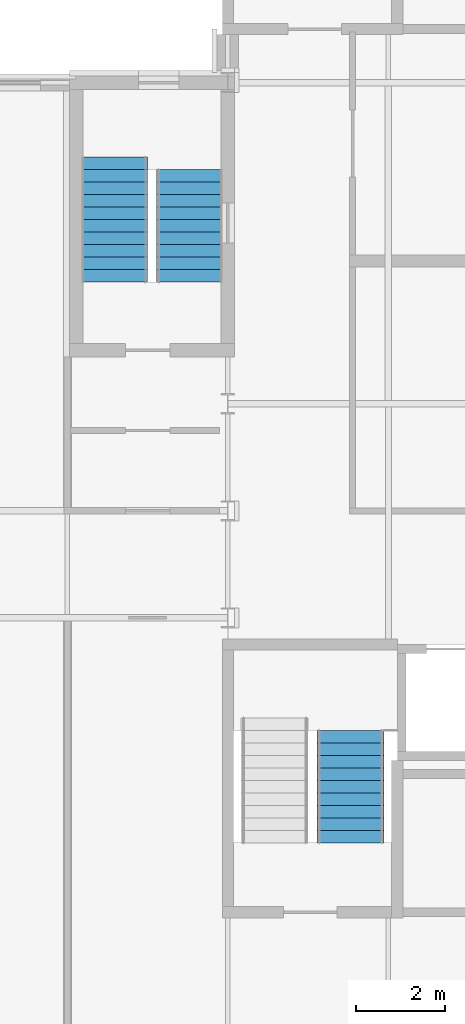
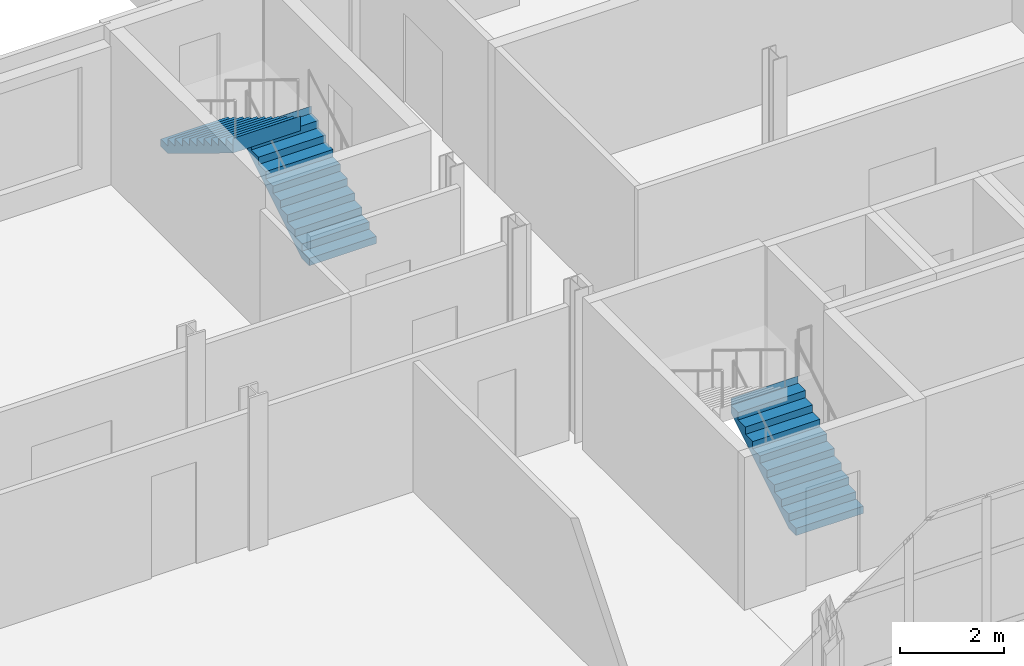
# One storey, part 94 of 124: 3 stair flights, 2 elements without a shape of their own.
"""IFC4 building model written with IfcOpenShell, lengths in metres."""

from ifc_helpers import new_model, si_unit, direction, frame, origin, place, context, subcontext, project, spatial, polyline, outline, extrude, material, type_object, element, aggregate, save


model = new_model("IFC4")

# Units and contexts
model_context = context("Model", 3, precision=1e-05, world=origin(), true_north=direction((0.0, 1.0)))
body_context = subcontext(model_context, "Body", "Model", "MODEL_VIEW")
ifc_project = project(units=[si_unit("LENGTHUNIT", "METRE"), si_unit("AREAUNIT", "SQUARE_METRE"), si_unit("VOLUMEUNIT", "CUBIC_METRE"), si_unit("PLANEANGLEUNIT", "RADIAN"), si_unit("MASSUNIT", "GRAM", prefix="KILO")], contexts=[model_context])

# Site, building, storey
site_placement = place(None, origin())
site = spatial("IfcSite", under=ifc_project, at=site_placement, CompositionType="ELEMENT")
building_placement = place(site_placement, origin())
building = spatial("IfcBuilding", under=site, at=building_placement, Name="Kupolbacken Congress Centre", CompositionType="ELEMENT")
storey_placement = place(building_placement, frame((0.0, 0.0, 10.800048828125)))
storey = spatial("IfcBuildingStorey", under=building, at=storey_placement, Name="L03", CompositionType="ELEMENT", Elevation=10.800048828125)

# Stair, stair flight
ifc_material_1 = material(Name="Steel S355", Category="steel")
stair_type = type_object("IfcStairType", Name="ST2 stair 1500", PredefinedType="TWO_STRAIGHT_RUN_STAIR", material=ifc_material_1)
stair_1_placement = place(storey_placement, origin())
stair_1 = element("IfcStair", 1, at=stair_1_placement, inside=storey, type_object=stair_type, Name="C/stair/TS4/L03", PredefinedType="NOTDEFINED")
ifc_material_2 = material(Name="Steel S355", Category="steel")
stair_flight_type_1 = type_object("IfcStairFlightType", Name="FL3 stair flight 1500 x 10 risers", PredefinedType="STRAIGHT", material=ifc_material_2)
stair_flight_1_placement = place(storey_placement, frame((135.949951171875, 139.530029296875, 0.0), z_axis=(0.0, 0.0, 1.0), x_axis=(0.0, 1.0, 0.0)))
stair_flight_1 = element("IfcStairFlight", 2, at=stair_flight_1_placement, type_object=stair_flight_type_1, Name="TS4 flight 1", NumberOfRisers=10, NumberOfTreads=9, PredefinedType="STRAIGHT", RiserHeight=0.171428571, TreadLength=0.28, context=body_context, shape_type="SweptSolid", body=[
    extrude(outline(polyline([(0.0, 0.0), (0.0, 0.0009765625), (0.0, 0.002197265625), (0.0, 0.003173828125), (0.0, 0.004150390625), (0.0, 0.00537109375), (0.0, 0.00634765625), (0.0, 0.007568359375), (0.0, 0.008544921875), (0.0, 0.009521484375), (0.0, 0.0107421875), (0.0, 0.01171875), (0.0, 0.0126953125), (0.0, 0.013916015625), (0.0, 0.014892578125), (0.0, 0.015869140625), (0.0, 0.01708984375), (0.0, 0.01806640625), (0.0, 0.019287109375), (0.0, 0.020263671875), (0.0, 0.021240234375), (0.0, 0.0224609375), (0.0, 0.0234375), (0.0, 0.0244140625), (0.0, 0.025634765625), (0.0, 0.026611328125), (0.0, 0.027587890625), (0.0, 0.02880859375), (0.0, 0.02978515625), (0.0, 0.03076171875), (0.0, 0.031982421875), (0.0, 0.032958984375), (0.0, 0.0341796875), (0.0, 0.03515625), (0.0, 0.0361328125), (0.0, 0.037353515625), (0.0, 0.038330078125), (0.0, 0.039306640625), (0.0, 0.04052734375), (0.0, 0.04150390625), (0.0, 0.04248046875), (0.0, 0.043701171875), (0.0, 0.044677734375), (0.0, 0.0458984375), (0.0, 0.046875), (0.0, 0.0478515625), (0.0, 0.049072265625), (0.0, 0.050048828125), (0.0, 0.051025390625), (0.0, 0.05224609375), (0.0, 0.05322265625), (0.0, 0.05419921875), (0.0, 0.055419921875), (0.0, 0.056396484375), (0.0, 0.0576171875), (0.0, 0.05859375), (0.0, 0.0595703125), (0.0, 0.060791015625), (0.0, 0.061767578125), (0.0, 0.062744140625), (0.0, 0.06396484375), (0.0, 0.06494140625), (0.0, 0.06591796875), (0.0, 0.067138671875), (0.0, 0.068115234375), (0.0, 0.069091796875), (0.0, 0.0703125), (0.0, 0.0712890625), (0.0, 0.072509765625), (0.0, 0.073486328125), (0.0, 0.074462890625), (0.0, 0.07568359375), (0.0, 0.07666015625), (0.0, 0.07763671875), (0.0, 0.078857421875), (0.0, 0.079833984375), (0.0, 0.080810546875), (0.0, 0.08203125), (0.0, 0.0830078125), (0.0, 0.084228515625), (0.0, 0.085205078125), (0.0, 0.086181640625), (0.0, 0.08740234375), (0.0, 0.08837890625), (0.0, 0.08935546875), (0.0, 0.090576171875), (0.0, 0.091552734375), (0.0, 0.092529296875), (0.0, 0.09375), (0.0, 0.0947265625), (0.0, 0.095947265625), (0.0, 0.096923828125), (0.0, 0.097900390625), (0.0, 0.09912109375), (0.0, 0.10009765625), (0.0, 0.10107421875), (0.0, 0.102294921875), (0.0, 0.103271484375), (0.0, 0.104248046875), (0.0, 0.10546875), (0.0, 0.1064453125), (0.0, 0.107421875), (0.0, 0.108642578125), (0.0, 0.109619140625), (0.0, 0.11083984375), (0.0, 0.11181640625), (0.0, 0.11279296875), (0.0, 0.114013671875), (0.0, 0.114990234375), (0.0, 0.115966796875), (0.0, 0.1171875), (0.0, 0.1181640625), (0.0, 0.119140625), (0.0, 0.120361328125), (0.0, 0.121337890625), (0.0, 0.12255859375), (0.0, 0.12353515625), (0.0, 0.12451171875), (0.0, 0.125732421875), (0.0, 0.126708984375), (0.0, 0.127685546875), (0.0, 0.12890625), (0.0, 0.1298828125), (0.0, 0.130859375), (0.0, 0.132080078125), (0.0, 0.133056640625), (0.0, 0.13427734375), (0.0, 0.13525390625), (0.0, 0.13623046875), (0.0, 0.137451171875), (0.0, 0.138427734375), (0.0, 0.139404296875), (0.0, 0.140625), (0.0, 0.1416015625), (0.0, 0.142578125), (0.0, 0.143798828125), (0.0, 0.144775390625), (0.0, 0.145751953125), (0.0, 0.14697265625), (0.0, 0.14794921875), (0.0, 0.149169921875), (0.0, 0.150146484375), (0.0, 0.151123046875), (0.0, 0.15234375), (0.0, 0.1533203125), (0.0, 0.154296875), (0.0, 0.155517578125), (0.0, 0.156494140625), (0.0, 0.157470703125), (0.0, 0.15869140625), (0.0, 0.15966796875), (0.0, 0.160888671875), (0.0, 0.161865234375), (0.0, 0.162841796875), (0.0, 0.1640625), (0.0, 0.1650390625), (0.0, 0.166015625), (0.0, 0.167236328125), (0.0, 0.168212890625), (0.0, 0.169189453125), (0.0, 0.17041015625), (0.0, 0.17138671875), (0.280029296875, 0.17138671875), (0.280029296875, 0.3427734375), (0.56005859375, 0.3427734375), (0.56005859375, 0.514404296875), (0.840087890625, 0.514404296875), (0.840087890625, 0.685791015625), (1.1201171875, 0.685791015625), (1.1201171875, 0.857177734375), (1.39990234375, 0.857177734375), (1.39990234375, 1.028564453125), (1.679931640625, 1.028564453125), (1.679931640625, 1.199951171875), (1.9599609375, 1.199951171875), (1.9599609375, 1.371337890625), (2.239990234375, 1.371337890625), (2.239990234375, 1.54296875), (2.52001953125, 1.54296875), (2.52001953125, 1.71435546875), (2.52197265625, 1.71435546875), (2.52197265625, 1.712158203125), (2.52197265625, 1.7099609375), (2.52197265625, 1.707763671875), (2.52197265625, 1.70556640625), (2.52197265625, 1.70361328125), (2.52197265625, 1.701416015625), (2.52197265625, 1.69921875), (2.52197265625, 1.697021484375), (2.52197265625, 1.69482421875), (2.52197265625, 1.692626953125), (2.52197265625, 1.690673828125), (2.52197265625, 1.6884765625), (2.52197265625, 1.686279296875), (2.52197265625, 1.68408203125), (2.52197265625, 1.681884765625), (2.52197265625, 1.6796875), (2.52197265625, 1.677734375), (2.52197265625, 1.675537109375), (2.52197265625, 1.67333984375), (2.52197265625, 1.671142578125), (2.52197265625, 1.6689453125), (2.52197265625, 1.666748046875), (2.52197265625, 1.664794921875), (2.52197265625, 1.66259765625), (2.52197265625, 1.660400390625), (2.52197265625, 1.658203125), (2.52197265625, 1.656005859375), (2.52197265625, 1.65380859375), (2.52197265625, 1.65185546875), (2.52197265625, 1.649658203125), (2.52197265625, 1.6474609375), (2.52197265625, 1.645263671875), (2.52197265625, 1.64306640625), (2.52197265625, 1.640869140625), (2.52197265625, 1.638916015625), (2.52197265625, 1.63671875), (2.52197265625, 1.634521484375), (2.52197265625, 1.63232421875), (2.52197265625, 1.630126953125), (2.52197265625, 1.6279296875), (2.52197265625, 1.6259765625), (2.52197265625, 1.623779296875), (2.52197265625, 1.62158203125), (2.52197265625, 1.619384765625), (2.52197265625, 1.6171875), (2.52197265625, 1.614990234375), (2.52197265625, 1.613037109375), (2.52197265625, 1.61083984375), (2.52197265625, 1.608642578125), (2.52197265625, 1.6064453125), (2.52197265625, 1.604248046875), (2.52197265625, 1.60205078125), (2.52197265625, 1.60009765625), (2.52197265625, 1.597900390625), (2.52197265625, 1.595703125), (2.52197265625, 1.593505859375), (2.52197265625, 1.59130859375), (2.52197265625, 1.589111328125), (2.52197265625, 1.587158203125), (2.52197265625, 1.5849609375), (2.52197265625, 1.582763671875), (2.52197265625, 1.58056640625), (2.52197265625, 1.578369140625), (2.52197265625, 1.576171875), (2.52197265625, 1.57421875), (2.52197265625, 1.572021484375), (2.52197265625, 1.56982421875), (2.52197265625, 1.567626953125), (2.52197265625, 1.5654296875), (2.52197265625, 1.563232421875), (2.52197265625, 1.561279296875), (2.52197265625, 1.55908203125), (2.52197265625, 1.556884765625), (2.52197265625, 1.5546875), (2.52197265625, 1.552490234375), (2.52197265625, 1.55029296875), (2.52197265625, 1.54833984375), (2.52197265625, 1.546142578125), (2.52197265625, 1.5439453125), (2.52197265625, 1.541748046875), (2.52197265625, 1.53955078125), (2.52197265625, 1.537353515625), (2.52197265625, 1.535400390625), (2.52197265625, 1.533203125), (2.52197265625, 1.531005859375), (2.52197265625, 1.52880859375), (2.52197265625, 1.526611328125), (2.52197265625, 1.5244140625), (2.52197265625, 1.5224609375), (2.52197265625, 1.520263671875), (2.52197265625, 1.51806640625), (2.52197265625, 1.515869140625), (2.52197265625, 1.513671875), (2.52197265625, 1.511474609375), (2.52197265625, 1.509521484375), (2.52197265625, 1.50732421875), (2.52197265625, 1.505126953125), (2.52197265625, 1.5029296875), (2.52197265625, 1.500732421875), (2.52197265625, 1.49853515625), (2.52197265625, 1.49658203125), (2.52197265625, 1.494384765625), (2.52197265625, 1.4921875), (2.52197265625, 1.489990234375), (2.52197265625, 1.48779296875), (2.52197265625, 1.485595703125), (2.52197265625, 1.483642578125), (2.52197265625, 1.4814453125), (2.52197265625, 1.479248046875), (2.52197265625, 1.47705078125), (2.52197265625, 1.474853515625), (2.52197265625, 1.47265625), (2.52197265625, 1.470703125), (2.52197265625, 1.468505859375), (2.52197265625, 1.46630859375), (2.52197265625, 1.464111328125), (2.52197265625, 1.4619140625), (2.52197265625, 1.459716796875), (2.52197265625, 1.457763671875), (2.52197265625, 1.45556640625), (2.52197265625, 1.453369140625), (2.52197265625, 1.451171875), (2.52197265625, 1.448974609375), (2.52197265625, 1.44677734375), (2.52197265625, 1.44482421875), (2.52197265625, 1.442626953125), (2.52197265625, 1.4404296875), (2.52197265625, 1.438232421875), (2.52197265625, 1.43603515625), (2.52197265625, 1.433837890625), (2.52197265625, 1.431884765625), (2.52197265625, 1.4296875), (2.52197265625, 1.427490234375), (2.52197265625, 1.42529296875), (2.52197265625, 1.423095703125), (2.52197265625, 1.4208984375), (2.52197265625, 1.4189453125), (2.52197265625, 1.416748046875), (2.52197265625, 1.41455078125), (2.52197265625, 1.412353515625), (2.52197265625, 1.41015625), (2.52197265625, 1.407958984375), (2.52197265625, 1.406005859375), (2.52197265625, 1.40380859375), (2.52197265625, 1.401611328125), (2.52197265625, 1.3994140625), (2.52197265625, 1.397216796875), (2.52197265625, 1.39501953125), (2.52197265625, 1.39306640625), (2.52197265625, 1.390869140625), (2.52197265625, 1.388671875), (2.52197265625, 1.386474609375), (2.52197265625, 1.38427734375), (2.52197265625, 1.382080078125), (2.52197265625, 1.380126953125), (2.52197265625, 1.3779296875), (2.52197265625, 1.375732421875), (2.52197265625, 1.37353515625), (2.52197265625, 1.371337890625), (2.52197265625, 1.369140625), (2.52197265625, 1.3671875), (0.2890625, 0.0), (0.0, 0.0)])), frame((0.0, 0.75, 0.0), z_axis=(0.0, -1.0, 0.0), x_axis=(1.0, 0.0, 0.0)), (0.0, 0.0, 1.0), 1.5),
])

stair_2_placement = place(storey_placement, origin())
stair_2 = element("IfcStair", 3, at=stair_2_placement, inside=storey, type_object=stair_type, Name="C/stair/BS1/L03", PredefinedType="NOTDEFINED")
stair_flight_2_placement = place(storey_placement, frame((139.550048828125, 126.955078125, 0.0), z_axis=(0.0, 0.0, 1.0), x_axis=(0.0, 1.0, 0.0)))
stair_flight_2 = element("IfcStairFlight", 4, at=stair_flight_2_placement, type_object=stair_flight_type_1, Name="BS1 flight 1", NumberOfRisers=10, NumberOfTreads=9, PredefinedType="STRAIGHT", RiserHeight=0.171428571, TreadLength=0.28, context=body_context, shape_type="SweptSolid", body=[
    extrude(outline(polyline([(0.0, 0.0), (0.0, 0.0009765625), (0.0, 0.002197265625), (0.0, 0.003173828125), (0.0, 0.004150390625), (0.0, 0.00537109375), (0.0, 0.00634765625), (0.0, 0.007568359375), (0.0, 0.008544921875), (0.0, 0.009521484375), (0.0, 0.0107421875), (0.0, 0.01171875), (0.0, 0.0126953125), (0.0, 0.013916015625), (0.0, 0.014892578125), (0.0, 0.015869140625), (0.0, 0.01708984375), (0.0, 0.01806640625), (0.0, 0.019287109375), (0.0, 0.020263671875), (0.0, 0.021240234375), (0.0, 0.0224609375), (0.0, 0.0234375), (0.0, 0.0244140625), (0.0, 0.025634765625), (0.0, 0.026611328125), (0.0, 0.027587890625), (0.0, 0.02880859375), (0.0, 0.02978515625), (0.0, 0.03076171875), (0.0, 0.031982421875), (0.0, 0.032958984375), (0.0, 0.0341796875), (0.0, 0.03515625), (0.0, 0.0361328125), (0.0, 0.037353515625), (0.0, 0.038330078125), (0.0, 0.039306640625), (0.0, 0.04052734375), (0.0, 0.04150390625), (0.0, 0.04248046875), (0.0, 0.043701171875), (0.0, 0.044677734375), (0.0, 0.0458984375), (0.0, 0.046875), (0.0, 0.0478515625), (0.0, 0.049072265625), (0.0, 0.050048828125), (0.0, 0.051025390625), (0.0, 0.05224609375), (0.0, 0.05322265625), (0.0, 0.05419921875), (0.0, 0.055419921875), (0.0, 0.056396484375), (0.0, 0.0576171875), (0.0, 0.05859375), (0.0, 0.0595703125), (0.0, 0.060791015625), (0.0, 0.061767578125), (0.0, 0.062744140625), (0.0, 0.06396484375), (0.0, 0.06494140625), (0.0, 0.06591796875), (0.0, 0.067138671875), (0.0, 0.068115234375), (0.0, 0.069091796875), (0.0, 0.0703125), (0.0, 0.0712890625), (0.0, 0.072509765625), (0.0, 0.073486328125), (0.0, 0.074462890625), (0.0, 0.07568359375), (0.0, 0.07666015625), (0.0, 0.07763671875), (0.0, 0.078857421875), (0.0, 0.079833984375), (0.0, 0.080810546875), (0.0, 0.08203125), (0.0, 0.0830078125), (0.0, 0.084228515625), (0.0, 0.085205078125), (0.0, 0.086181640625), (0.0, 0.08740234375), (0.0, 0.08837890625), (0.0, 0.08935546875), (0.0, 0.090576171875), (0.0, 0.091552734375), (0.0, 0.092529296875), (0.0, 0.09375), (0.0, 0.0947265625), (0.0, 0.095947265625), (0.0, 0.096923828125), (0.0, 0.097900390625), (0.0, 0.09912109375), (0.0, 0.10009765625), (0.0, 0.10107421875), (0.0, 0.102294921875), (0.0, 0.103271484375), (0.0, 0.104248046875), (0.0, 0.10546875), (0.0, 0.1064453125), (0.0, 0.107421875), (0.0, 0.108642578125), (0.0, 0.109619140625), (0.0, 0.11083984375), (0.0, 0.11181640625), (0.0, 0.11279296875), (0.0, 0.114013671875), (0.0, 0.114990234375), (0.0, 0.115966796875), (0.0, 0.1171875), (0.0, 0.1181640625), (0.0, 0.119140625), (0.0, 0.120361328125), (0.0, 0.121337890625), (0.0, 0.12255859375), (0.0, 0.12353515625), (0.0, 0.12451171875), (0.0, 0.125732421875), (0.0, 0.126708984375), (0.0, 0.127685546875), (0.0, 0.12890625), (0.0, 0.1298828125), (0.0, 0.130859375), (0.0, 0.132080078125), (0.0, 0.133056640625), (0.0, 0.13427734375), (0.0, 0.13525390625), (0.0, 0.13623046875), (0.0, 0.137451171875), (0.0, 0.138427734375), (0.0, 0.139404296875), (0.0, 0.140625), (0.0, 0.1416015625), (0.0, 0.142578125), (0.0, 0.143798828125), (0.0, 0.144775390625), (0.0, 0.145751953125), (0.0, 0.14697265625), (0.0, 0.14794921875), (0.0, 0.149169921875), (0.0, 0.150146484375), (0.0, 0.151123046875), (0.0, 0.15234375), (0.0, 0.1533203125), (0.0, 0.154296875), (0.0, 0.155517578125), (0.0, 0.156494140625), (0.0, 0.157470703125), (0.0, 0.15869140625), (0.0, 0.15966796875), (0.0, 0.160888671875), (0.0, 0.161865234375), (0.0, 0.162841796875), (0.0, 0.1640625), (0.0, 0.1650390625), (0.0, 0.166015625), (0.0, 0.167236328125), (0.0, 0.168212890625), (0.0, 0.169189453125), (0.0, 0.17041015625), (0.0, 0.17138671875), (0.280029296875, 0.17138671875), (0.280029296875, 0.3427734375), (0.56005859375, 0.3427734375), (0.56005859375, 0.514404296875), (0.840087890625, 0.514404296875), (0.840087890625, 0.685791015625), (1.1201171875, 0.685791015625), (1.1201171875, 0.857177734375), (1.39990234375, 0.857177734375), (1.39990234375, 1.028564453125), (1.679931640625, 1.028564453125), (1.679931640625, 1.199951171875), (1.9599609375, 1.199951171875), (1.9599609375, 1.371337890625), (2.239990234375, 1.371337890625), (2.239990234375, 1.54296875), (2.52001953125, 1.54296875), (2.52001953125, 1.71435546875), (2.52197265625, 1.71435546875), (2.52197265625, 1.712158203125), (2.52197265625, 1.7099609375), (2.52197265625, 1.707763671875), (2.52197265625, 1.70556640625), (2.52197265625, 1.70361328125), (2.52197265625, 1.701416015625), (2.52197265625, 1.69921875), (2.52197265625, 1.697021484375), (2.52197265625, 1.69482421875), (2.52197265625, 1.692626953125), (2.52197265625, 1.690673828125), (2.52197265625, 1.6884765625), (2.52197265625, 1.686279296875), (2.52197265625, 1.68408203125), (2.52197265625, 1.681884765625), (2.52197265625, 1.6796875), (2.52197265625, 1.677734375), (2.52197265625, 1.675537109375), (2.52197265625, 1.67333984375), (2.52197265625, 1.671142578125), (2.52197265625, 1.6689453125), (2.52197265625, 1.666748046875), (2.52197265625, 1.664794921875), (2.52197265625, 1.66259765625), (2.52197265625, 1.660400390625), (2.52197265625, 1.658203125), (2.52197265625, 1.656005859375), (2.52197265625, 1.65380859375), (2.52197265625, 1.65185546875), (2.52197265625, 1.649658203125), (2.52197265625, 1.6474609375), (2.52197265625, 1.645263671875), (2.52197265625, 1.64306640625), (2.52197265625, 1.640869140625), (2.52197265625, 1.638916015625), (2.52197265625, 1.63671875), (2.52197265625, 1.634521484375), (2.52197265625, 1.63232421875), (2.52197265625, 1.630126953125), (2.52197265625, 1.6279296875), (2.52197265625, 1.6259765625), (2.52197265625, 1.623779296875), (2.52197265625, 1.62158203125), (2.52197265625, 1.619384765625), (2.52197265625, 1.6171875), (2.52197265625, 1.614990234375), (2.52197265625, 1.613037109375), (2.52197265625, 1.61083984375), (2.52197265625, 1.608642578125), (2.52197265625, 1.6064453125), (2.52197265625, 1.604248046875), (2.52197265625, 1.60205078125), (2.52197265625, 1.60009765625), (2.52197265625, 1.597900390625), (2.52197265625, 1.595703125), (2.52197265625, 1.593505859375), (2.52197265625, 1.59130859375), (2.52197265625, 1.589111328125), (2.52197265625, 1.587158203125), (2.52197265625, 1.5849609375), (2.52197265625, 1.582763671875), (2.52197265625, 1.58056640625), (2.52197265625, 1.578369140625), (2.52197265625, 1.576171875), (2.52197265625, 1.57421875), (2.52197265625, 1.572021484375), (2.52197265625, 1.56982421875), (2.52197265625, 1.567626953125), (2.52197265625, 1.5654296875), (2.52197265625, 1.563232421875), (2.52197265625, 1.561279296875), (2.52197265625, 1.55908203125), (2.52197265625, 1.556884765625), (2.52197265625, 1.5546875), (2.52197265625, 1.552490234375), (2.52197265625, 1.55029296875), (2.52197265625, 1.54833984375), (2.52197265625, 1.546142578125), (2.52197265625, 1.5439453125), (2.52197265625, 1.541748046875), (2.52197265625, 1.53955078125), (2.52197265625, 1.537353515625), (2.52197265625, 1.535400390625), (2.52197265625, 1.533203125), (2.52197265625, 1.531005859375), (2.52197265625, 1.52880859375), (2.52197265625, 1.526611328125), (2.52197265625, 1.5244140625), (2.52197265625, 1.5224609375), (2.52197265625, 1.520263671875), (2.52197265625, 1.51806640625), (2.52197265625, 1.515869140625), (2.52197265625, 1.513671875), (2.52197265625, 1.511474609375), (2.52197265625, 1.509521484375), (2.52197265625, 1.50732421875), (2.52197265625, 1.505126953125), (2.52197265625, 1.5029296875), (2.52197265625, 1.500732421875), (2.52197265625, 1.49853515625), (2.52197265625, 1.49658203125), (2.52197265625, 1.494384765625), (2.52197265625, 1.4921875), (2.52197265625, 1.489990234375), (2.52197265625, 1.48779296875), (2.52197265625, 1.485595703125), (2.52197265625, 1.483642578125), (2.52197265625, 1.4814453125), (2.52197265625, 1.479248046875), (2.52197265625, 1.47705078125), (2.52197265625, 1.474853515625), (2.52197265625, 1.47265625), (2.52197265625, 1.470703125), (2.52197265625, 1.468505859375), (2.52197265625, 1.46630859375), (2.52197265625, 1.464111328125), (2.52197265625, 1.4619140625), (2.52197265625, 1.459716796875), (2.52197265625, 1.457763671875), (2.52197265625, 1.45556640625), (2.52197265625, 1.453369140625), (2.52197265625, 1.451171875), (2.52197265625, 1.448974609375), (2.52197265625, 1.44677734375), (2.52197265625, 1.44482421875), (2.52197265625, 1.442626953125), (2.52197265625, 1.4404296875), (2.52197265625, 1.438232421875), (2.52197265625, 1.43603515625), (2.52197265625, 1.433837890625), (2.52197265625, 1.431884765625), (2.52197265625, 1.4296875), (2.52197265625, 1.427490234375), (2.52197265625, 1.42529296875), (2.52197265625, 1.423095703125), (2.52197265625, 1.4208984375), (2.52197265625, 1.4189453125), (2.52197265625, 1.416748046875), (2.52197265625, 1.41455078125), (2.52197265625, 1.412353515625), (2.52197265625, 1.41015625), (2.52197265625, 1.407958984375), (2.52197265625, 1.406005859375), (2.52197265625, 1.40380859375), (2.52197265625, 1.401611328125), (2.52197265625, 1.3994140625), (2.52197265625, 1.397216796875), (2.52197265625, 1.39501953125), (2.52197265625, 1.39306640625), (2.52197265625, 1.390869140625), (2.52197265625, 1.388671875), (2.52197265625, 1.386474609375), (2.52197265625, 1.38427734375), (2.52197265625, 1.382080078125), (2.52197265625, 1.380126953125), (2.52197265625, 1.3779296875), (2.52197265625, 1.375732421875), (2.52197265625, 1.37353515625), (2.52197265625, 1.371337890625), (2.52197265625, 1.369140625), (2.52197265625, 1.3671875), (0.2890625, 0.0), (0.0, 0.0)])), frame((0.0, 0.75, 0.0), z_axis=(0.0, -1.0, 0.0), x_axis=(1.0, 0.0, 0.0)), (0.0, 0.0, 1.0), 1.5),
])
aggregate(stair_2, [stair_flight_2])

# Stair flight
ifc_material_3 = material(Name="Steel S355", Category="steel")
stair_flight_type_2 = type_object("IfcStairFlightType", Name="FL4 stair flight 1500 x 11 risers", PredefinedType="STRAIGHT", material=ifc_material_3)
stair_flight_3_placement = place(storey_placement, frame((134.25, 142.330078125, 1.71435546875), z_axis=(0.0, 0.0, 1.0), x_axis=(0.0, -1.0, 0.0)))
stair_flight_3 = element("IfcStairFlight", 5, at=stair_flight_3_placement, type_object=stair_flight_type_2, Name="TS4 flight 2", NumberOfRisers=11, NumberOfTreads=10, PredefinedType="STRAIGHT", RiserHeight=0.171428571, TreadLength=0.28, context=body_context, shape_type="SweptSolid", body=[
    extrude(outline(polyline([(0.0, 0.0), (0.0, 0.0009765625), (0.0, 0.002197265625), (0.0, 0.003173828125), (0.0, 0.004150390625), (0.0, 0.00537109375), (0.0, 0.00634765625), (0.0, 0.007568359375), (0.0, 0.008544921875), (0.0, 0.009521484375), (0.0, 0.0107421875), (0.0, 0.01171875), (0.0, 0.0126953125), (0.0, 0.013916015625), (0.0, 0.014892578125), (0.0, 0.015869140625), (0.0, 0.01708984375), (0.0, 0.01806640625), (0.0, 0.019287109375), (0.0, 0.020263671875), (0.0, 0.021240234375), (0.0, 0.0224609375), (0.0, 0.0234375), (0.0, 0.0244140625), (0.0, 0.025634765625), (0.0, 0.026611328125), (0.0, 0.027587890625), (0.0, 0.02880859375), (0.0, 0.02978515625), (0.0, 0.03076171875), (0.0, 0.031982421875), (0.0, 0.032958984375), (0.0, 0.0341796875), (0.0, 0.03515625), (0.0, 0.0361328125), (0.0, 0.037353515625), (0.0, 0.038330078125), (0.0, 0.039306640625), (0.0, 0.04052734375), (0.0, 0.04150390625), (0.0, 0.04248046875), (0.0, 0.043701171875), (0.0, 0.044677734375), (0.0, 0.0458984375), (0.0, 0.046875), (0.0, 0.0478515625), (0.0, 0.049072265625), (0.0, 0.050048828125), (0.0, 0.051025390625), (0.0, 0.05224609375), (0.0, 0.05322265625), (0.0, 0.05419921875), (0.0, 0.055419921875), (0.0, 0.056396484375), (0.0, 0.0576171875), (0.0, 0.05859375), (0.0, 0.0595703125), (0.0, 0.060791015625), (0.0, 0.061767578125), (0.0, 0.062744140625), (0.0, 0.06396484375), (0.0, 0.06494140625), (0.0, 0.06591796875), (0.0, 0.067138671875), (0.0, 0.068115234375), (0.0, 0.069091796875), (0.0, 0.0703125), (0.0, 0.0712890625), (0.0, 0.072509765625), (0.0, 0.073486328125), (0.0, 0.074462890625), (0.0, 0.07568359375), (0.0, 0.07666015625), (0.0, 0.07763671875), (0.0, 0.078857421875), (0.0, 0.079833984375), (0.0, 0.080810546875), (0.0, 0.08203125), (0.0, 0.0830078125), (0.0, 0.084228515625), (0.0, 0.085205078125), (0.0, 0.086181640625), (0.0, 0.08740234375), (0.0, 0.08837890625), (0.0, 0.08935546875), (0.0, 0.090576171875), (0.0, 0.091552734375), (0.0, 0.092529296875), (0.0, 0.09375), (0.0, 0.0947265625), (0.0, 0.095947265625), (0.0, 0.096923828125), (0.0, 0.097900390625), (0.0, 0.09912109375), (0.0, 0.10009765625), (0.0, 0.10107421875), (0.0, 0.102294921875), (0.0, 0.103271484375), (0.0, 0.104248046875), (0.0, 0.10546875), (0.0, 0.1064453125), (0.0, 0.107421875), (0.0, 0.108642578125), (0.0, 0.109619140625), (0.0, 0.11083984375), (0.0, 0.11181640625), (0.0, 0.11279296875), (0.0, 0.114013671875), (0.0, 0.114990234375), (0.0, 0.115966796875), (0.0, 0.1171875), (0.0, 0.1181640625), (0.0, 0.119140625), (0.0, 0.120361328125), (0.0, 0.121337890625), (0.0, 0.12255859375), (0.0, 0.12353515625), (0.0, 0.12451171875), (0.0, 0.125732421875), (0.0, 0.126708984375), (0.0, 0.127685546875), (0.0, 0.12890625), (0.0, 0.1298828125), (0.0, 0.130859375), (0.0, 0.132080078125), (0.0, 0.133056640625), (0.0, 0.13427734375), (0.0, 0.13525390625), (0.0, 0.13623046875), (0.0, 0.137451171875), (0.0, 0.138427734375), (0.0, 0.139404296875), (0.0, 0.140625), (0.0, 0.1416015625), (0.0, 0.142578125), (0.0, 0.143798828125), (0.0, 0.144775390625), (0.0, 0.145751953125), (0.0, 0.14697265625), (0.0, 0.14794921875), (0.0, 0.149169921875), (0.0, 0.150146484375), (0.0, 0.151123046875), (0.0, 0.15234375), (0.0, 0.1533203125), (0.0, 0.154296875), (0.0, 0.155517578125), (0.0, 0.156494140625), (0.0, 0.157470703125), (0.0, 0.15869140625), (0.0, 0.15966796875), (0.0, 0.160888671875), (0.0, 0.161865234375), (0.0, 0.162841796875), (0.0, 0.1640625), (0.0, 0.1650390625), (0.0, 0.166015625), (0.0, 0.167236328125), (0.0, 0.168212890625), (0.0, 0.169189453125), (0.0, 0.17041015625), (0.0, 0.17138671875), (0.280029296875, 0.17138671875), (0.280029296875, 0.3427734375), (0.56005859375, 0.3427734375), (0.56005859375, 0.514404296875), (0.840087890625, 0.514404296875), (0.840087890625, 0.685791015625), (1.1201171875, 0.685791015625), (1.1201171875, 0.857177734375), (1.39990234375, 0.857177734375), (1.39990234375, 1.028564453125), (1.679931640625, 1.028564453125), (1.679931640625, 1.199951171875), (1.9599609375, 1.199951171875), (1.9599609375, 1.371337890625), (2.239990234375, 1.371337890625), (2.239990234375, 1.54296875), (2.52001953125, 1.54296875), (2.52001953125, 1.71435546875), (2.800048828125, 1.71435546875), (2.800048828125, 1.8857421875), (2.802001953125, 1.8857421875), (2.802001953125, 1.883544921875), (2.802001953125, 1.88134765625), (2.802001953125, 1.879150390625), (2.802001953125, 1.877197265625), (2.802001953125, 1.875), (2.802001953125, 1.872802734375), (2.802001953125, 1.87060546875), (2.802001953125, 1.868408203125), (2.802001953125, 1.8662109375), (2.802001953125, 1.8642578125), (2.802001953125, 1.862060546875), (2.802001953125, 1.85986328125), (2.802001953125, 1.857666015625), (2.802001953125, 1.85546875), (2.802001953125, 1.853271484375), (2.802001953125, 1.851318359375), (2.802001953125, 1.84912109375), (2.802001953125, 1.846923828125), (2.802001953125, 1.8447265625), (2.802001953125, 1.842529296875), (2.802001953125, 1.84033203125), (2.802001953125, 1.83837890625), (2.802001953125, 1.836181640625), (2.802001953125, 1.833984375), (2.802001953125, 1.831787109375), (2.802001953125, 1.82958984375), (2.802001953125, 1.827392578125), (2.802001953125, 1.825439453125), (2.802001953125, 1.8232421875), (2.802001953125, 1.821044921875), (2.802001953125, 1.81884765625), (2.802001953125, 1.816650390625), (2.802001953125, 1.814453125), (2.802001953125, 1.8125), (2.802001953125, 1.810302734375), (2.802001953125, 1.80810546875), (2.802001953125, 1.805908203125), (2.802001953125, 1.8037109375), (2.802001953125, 1.801513671875), (2.802001953125, 1.799560546875), (2.802001953125, 1.79736328125), (2.802001953125, 1.795166015625), (2.802001953125, 1.79296875), (2.802001953125, 1.790771484375), (2.802001953125, 1.78857421875), (2.802001953125, 1.78662109375), (2.802001953125, 1.784423828125), (2.802001953125, 1.7822265625), (2.802001953125, 1.780029296875), (2.802001953125, 1.77783203125), (2.802001953125, 1.775634765625), (2.802001953125, 1.773681640625), (2.802001953125, 1.771484375), (2.802001953125, 1.769287109375), (2.802001953125, 1.76708984375), (2.802001953125, 1.764892578125), (2.802001953125, 1.7626953125), (2.802001953125, 1.7607421875), (2.802001953125, 1.758544921875), (2.802001953125, 1.75634765625), (2.802001953125, 1.754150390625), (2.802001953125, 1.751953125), (2.802001953125, 1.749755859375), (2.802001953125, 1.747802734375), (2.802001953125, 1.74560546875), (2.802001953125, 1.743408203125), (2.802001953125, 1.7412109375), (2.802001953125, 1.739013671875), (2.802001953125, 1.73681640625), (2.802001953125, 1.73486328125), (2.802001953125, 1.732666015625), (2.802001953125, 1.73046875), (2.802001953125, 1.728271484375), (2.802001953125, 1.72607421875), (2.802001953125, 1.723876953125), (2.802001953125, 1.721923828125), (2.802001953125, 1.7197265625), (2.802001953125, 1.717529296875), (2.802001953125, 1.71533203125), (2.802001953125, 1.713134765625), (2.802001953125, 1.7109375), (2.802001953125, 1.708984375), (2.802001953125, 1.706787109375), (2.802001953125, 1.70458984375), (2.802001953125, 1.702392578125), (2.802001953125, 1.7001953125), (2.802001953125, 1.697998046875), (2.802001953125, 1.696044921875), (2.802001953125, 1.69384765625), (2.802001953125, 1.691650390625), (2.802001953125, 1.689453125), (2.802001953125, 1.687255859375), (2.802001953125, 1.68505859375), (2.802001953125, 1.68310546875), (2.802001953125, 1.680908203125), (2.802001953125, 1.6787109375), (2.802001953125, 1.676513671875), (2.802001953125, 1.67431640625), (2.802001953125, 1.672119140625), (2.802001953125, 1.670166015625), (2.802001953125, 1.66796875), (2.802001953125, 1.665771484375), (2.802001953125, 1.66357421875), (2.802001953125, 1.661376953125), (2.802001953125, 1.6591796875), (2.802001953125, 1.6572265625), (2.802001953125, 1.655029296875), (2.802001953125, 1.65283203125), (2.802001953125, 1.650634765625), (2.802001953125, 1.6484375), (2.802001953125, 1.646240234375), (2.802001953125, 1.644287109375), (2.802001953125, 1.64208984375), (2.802001953125, 1.639892578125), (2.802001953125, 1.6376953125), (2.802001953125, 1.635498046875), (2.802001953125, 1.63330078125), (2.802001953125, 1.63134765625), (2.802001953125, 1.629150390625), (2.802001953125, 1.626953125), (2.802001953125, 1.624755859375), (2.802001953125, 1.62255859375), (2.802001953125, 1.620361328125), (2.802001953125, 1.618408203125), (2.802001953125, 1.6162109375), (2.802001953125, 1.614013671875), (2.802001953125, 1.61181640625), (2.802001953125, 1.609619140625), (2.802001953125, 1.607421875), (2.802001953125, 1.60546875), (2.802001953125, 1.603271484375), (2.802001953125, 1.60107421875), (2.802001953125, 1.598876953125), (2.802001953125, 1.5966796875), (2.802001953125, 1.594482421875), (2.802001953125, 1.592529296875), (2.802001953125, 1.59033203125), (2.802001953125, 1.588134765625), (2.802001953125, 1.5859375), (2.802001953125, 1.583740234375), (2.802001953125, 1.58154296875), (2.802001953125, 1.57958984375), (2.802001953125, 1.577392578125), (2.802001953125, 1.5751953125), (2.802001953125, 1.572998046875), (2.802001953125, 1.57080078125), (2.802001953125, 1.568603515625), (2.802001953125, 1.566650390625), (2.802001953125, 1.564453125), (2.802001953125, 1.562255859375), (2.802001953125, 1.56005859375), (2.802001953125, 1.557861328125), (2.802001953125, 1.5556640625), (2.802001953125, 1.5537109375), (2.802001953125, 1.551513671875), (2.802001953125, 1.54931640625), (2.802001953125, 1.547119140625), (2.802001953125, 1.544921875), (2.802001953125, 1.542724609375), (2.802001953125, 1.540771484375), (2.802001953125, 1.53857421875), (0.2890625, 0.0), (0.0, 0.0)])), frame((0.0, 0.75, 0.0), z_axis=(0.0, -1.0, 0.0), x_axis=(1.0, 0.0, 0.0)), (0.0, 0.0, 1.0), 1.5),
])

aggregate(stair_1, [stair_flight_1, stair_flight_3])

save(model, "model.ifc")
